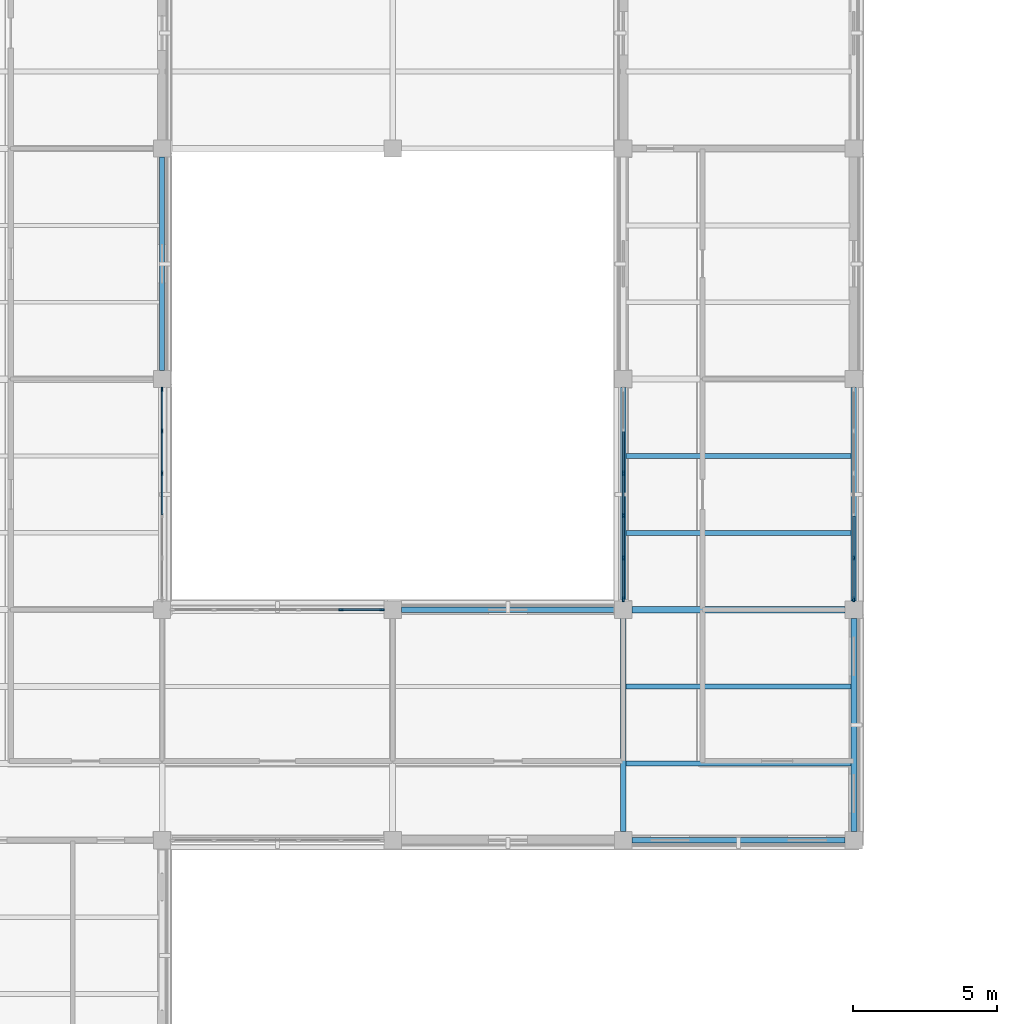
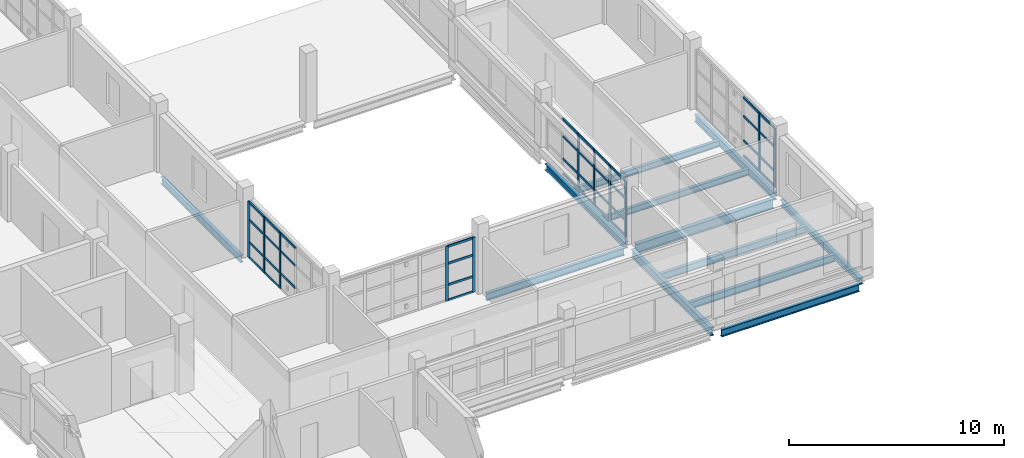
# One storey, part 10 of 126: 50 members, 12 beams, 4 elements without a shape of their own.
"""IFC4 building model written with IfcOpenShell, lengths in metres."""

from ifc_helpers import new_model, si_unit, derived_unit, direction, frame, origin, origin_2d, place, context, subcontext, project, spatial, rectangle, i_section, extrude, material, layer, layer_set, material_profile, profile_set, type_object, element, aggregate, save


model = new_model("IFC4")

# Units and contexts
model_context = context("Model", 3, precision=1e-05, world=origin(), true_north=direction((0.0, 1.0)))
body_context = subcontext(model_context, "Body", "Model", "MODEL_VIEW")
ifc_project = project(units=[si_unit("LENGTHUNIT", "METRE"), si_unit("AREAUNIT", "SQUARE_METRE"), si_unit("VOLUMEUNIT", "CUBIC_METRE"), si_unit("PLANEANGLEUNIT", "RADIAN"), si_unit("MASSUNIT", "GRAM", prefix="KILO"), derived_unit("THERMALTRANSMITTANCEUNIT", [(si_unit("MASSUNIT", "GRAM", prefix="KILO"), 1), (si_unit("TIMEUNIT", "SECOND"), -3), (si_unit("THERMODYNAMICTEMPERATUREUNIT", "KELVIN"), -1)])], contexts=[model_context])

# Site, building, storey
site_placement = place(None, origin())
site = spatial("IfcSite", under=ifc_project, at=site_placement, CompositionType="ELEMENT")
building_placement = place(site_placement, origin())
building = spatial("IfcBuilding", under=site, at=building_placement, Name="Veyamyaing Civic Hall", CompositionType="ELEMENT")
storey_placement = place(building_placement, frame((0.0, 0.0, 9.89990234375)))
storey = spatial("IfcBuildingStorey", under=building, at=storey_placement, Name="L02", CompositionType="ELEMENT", Elevation=9.89990234375)

# Beams
ifc_material_1 = material(Name="Steel ASTM A992", Category="steel")
ifc_material_profile_1 = material_profile(ifc_material_1, i_section(OverallWidth=0.19189453125, OverallDepth=0.462890625, WebThickness=0.010498046875, FlangeThickness=0.017578125, FilletRadius=0.010009765625, at=origin_2d()), Name="W460X89")
ifc_profile_set_1 = profile_set([ifc_material_profile_1], Name="Steel ASTM A992")
beam_type_1 = type_object("IfcBeamType", Name="B-08", PredefinedType="BEAM", material=ifc_profile_set_1)
beam_1_placement = place(storey_placement, frame((32.0, 8.300048828125, -0.516357421875), z_axis=(0.0, 1.0, 0.0), x_axis=(-1.0, 0.0, 0.0)))
element("IfcBeam", 1, at=beam_1_placement, inside=storey, type_object=beam_type_1, Name="Girder B-08 L02 Grid 5 B-C", PredefinedType="BEAM", context=body_context, shape_type="SweptSolid", body=[
    extrude(i_section(OverallWidth=0.19189453125, OverallDepth=0.462890625, WebThickness=0.010498046875, FlangeThickness=0.017578125, FilletRadius=0.010009765625, at=origin_2d()), origin(), (0.0, 0.0, 1.0), 7.39990234375),
])
ifc_material_profile_2 = material_profile(ifc_material_1, i_section(OverallWidth=0.179931640625, OverallDepth=0.4130859375, WebThickness=0.009765625, FlangeThickness=0.01611328125, FilletRadius=0.010009765625, at=origin_2d()), Name="W410X74")
ifc_profile_set_2 = profile_set([ifc_material_profile_2], Name="Steel ASTM A992")
beam_type_2 = type_object("IfcBeamType", Name="B-10", PredefinedType="SPANDREL", material=ifc_profile_set_2)
for number, where, z_axis, x_axis, name in (
    (2, (32.300048828125, 8.0, -0.491455078125), (1.0, 0.0, 0.0), (0.0, 1.0, 0.0), "Girder B-10 L02 Grid B 5-6"),
    (3, (24.300048828125, 16.0, -0.491455078125), (1.0, 0.0, 0.0), (0.0, 1.0, 0.0), "Girder B-10 L02 Grid C 4-5"),
    (4, (16.0, 24.300048828125, -0.491455078125), (0.0, 1.0, 0.0), (-1.0, 0.0, 0.0), "Girder B-10 L02 Grid 3 D-E"),
):
    element("IfcBeam", number, at=place(storey_placement, frame(where, z_axis=z_axis, x_axis=x_axis)), inside=storey, type_object=beam_type_2, Name=name, PredefinedType="SPANDREL", context=body_context, shape_type="SweptSolid", body=[
        extrude(i_section(OverallWidth=0.179931640625, OverallDepth=0.4130859375, WebThickness=0.009765625, FlangeThickness=0.01611328125, FilletRadius=0.010009765625, at=origin_2d()), origin(), (0.0, 0.0, 1.0), 7.39990234375),
    ])
ifc_material_profile_3 = material_profile(ifc_material_1, i_section(OverallWidth=0.2041015625, OverallDepth=0.35009765625, WebThickness=0.0078125, FlangeThickness=0.01513671875, FilletRadius=0.010009765625, at=origin_2d()), Name="W360X72")
ifc_profile_set_3 = profile_set([ifc_material_profile_3], Name="Steel ASTM A992")
beam_type_3 = type_object("IfcBeamType", Name="B-11", PredefinedType="SPANDREL", material=ifc_profile_set_3)
for number, where, z_axis, x_axis, name in (
    (5, (32.0, 16.300048828125, -0.4599609375), (0.0, 1.0, 0.0), (-1.0, 0.0, 0.0), "Girder B-11 L02 Grid 5 C-D"),
    (6, (40.0, 8.300048828125, -0.4599609375), (0.0, 1.0, 0.0), (-1.0, 0.0, 0.0), "Girder B-11 L02 Grid 6 B-C"),
):
    element("IfcBeam", number, at=place(storey_placement, frame(where, z_axis=z_axis, x_axis=x_axis)), inside=storey, type_object=beam_type_3, Name=name, PredefinedType="SPANDREL", context=body_context, shape_type="SweptSolid", body=[
        extrude(i_section(OverallWidth=0.2041015625, OverallDepth=0.35009765625, WebThickness=0.0078125, FlangeThickness=0.01513671875, FilletRadius=0.010009765625, at=origin_2d()), origin(), (0.0, 0.0, 1.0), 7.39990234375),
    ])
ifc_material_profile_4 = material_profile(ifc_material_1, i_section(OverallWidth=0.214111328125, OverallDepth=0.549072265625, WebThickness=0.0146484375, FlangeThickness=0.023681640625, FilletRadius=0.011962890625, at=origin_2d()), Name="W530X138")
ifc_profile_set_4 = profile_set([ifc_material_profile_4], Name="Steel ASTM A992")
beam_type_4 = type_object("IfcBeamType", Name="B-16", PredefinedType="BEAM", material=ifc_profile_set_4)
beam_2_placement = place(storey_placement, frame((32.300048828125, 16.0, -0.559326171875), z_axis=(1.0, 0.0, 0.0), x_axis=(0.0, 1.0, 0.0)))
element("IfcBeam", 7, at=beam_2_placement, inside=storey, type_object=beam_type_4, Name="Girder B-16 L02 Grid C 5-6", PredefinedType="BEAM", context=body_context, shape_type="SweptSolid", body=[
    extrude(i_section(OverallWidth=0.214111328125, OverallDepth=0.549072265625, WebThickness=0.0146484375, FlangeThickness=0.023681640625, FilletRadius=0.011962890625, at=origin_2d()), origin(), (0.0, 0.0, 1.0), 7.39990234375),
])
ifc_material_profile_5 = material_profile(ifc_material_1, i_section(OverallWidth=0.180908203125, OverallDepth=0.4169921875, WebThickness=0.010986328125, FlangeThickness=0.018310546875, FilletRadius=0.010009765625, at=origin_2d()), Name="W410X85")
ifc_profile_set_5 = profile_set([ifc_material_profile_5], Name="Steel ASTM A992")
beam_type_5 = type_object("IfcBeamType", Name="B-19", PredefinedType="SPANDREL", material=ifc_profile_set_5)
beam_3_placement = place(storey_placement, frame((40.0, 16.300048828125, -0.493408203125), z_axis=(0.0, 1.0, 0.0), x_axis=(-1.0, 0.0, 0.0)))
element("IfcBeam", 8, at=beam_3_placement, inside=storey, type_object=beam_type_5, Name="Girder B-19 L02 Grid 6 C-D", PredefinedType="SPANDREL", context=body_context, shape_type="SweptSolid", body=[
    extrude(i_section(OverallWidth=0.180908203125, OverallDepth=0.4169921875, WebThickness=0.010986328125, FlangeThickness=0.018310546875, FilletRadius=0.010009765625, at=origin_2d()), origin(), (0.0, 0.0, 1.0), 7.39990234375),
])

# Curtain wall, members
ifc_material_2 = material(Name="Anodised aluminium 6063-T6", Category="aluminium")
ifc_layer = layer(ifc_material_2, 0.159912109375, Name="Anodised aluminium 6063-T6")
ifc_layer_set = layer_set([ifc_layer], Name="Anodised aluminium 6063-T6")
curtain_wall_type = type_object("IfcCurtainWallType", Name="CW-03", PredefinedType="NOTDEFINED", material=ifc_layer_set)
curtain_wall_1_placement = place(storey_placement, origin())
curtain_wall_1 = element("IfcCurtainWall", 9, at=curtain_wall_1_placement, inside=storey, type_object=curtain_wall_type, Name="Unitized curtain wall CW-03 L02 E 2.3", PredefinedType="NOTDEFINED")
ifc_material_profile_6 = material_profile(ifc_material_2, rectangle(XDim=0.06494140625, YDim=0.159912109375, at=origin_2d()), Name="ALU-MUL-65X160")
ifc_profile_set_6 = profile_set([ifc_material_profile_6], Name="Anodised aluminium 6063-T6")
member_type_1 = type_object("IfcMemberType", Name="CWM-01", PredefinedType="MULLION", material=ifc_profile_set_6)
member_1_placement = place(storey_placement, frame((16.0, 20.73388671875, 0.0), z_axis=(0.0, 0.0, 1.0), x_axis=(-1.0, 0.0, 0.0)))
member_1 = element("IfcMember", 10, at=member_1_placement, type_object=member_type_1, Name="CW-03 mullion 4", PredefinedType="MULLION", context=body_context, shape_type="SweptSolid", body=[
    extrude(rectangle(XDim=0.06494140625, YDim=0.159912109375, at=origin_2d()), origin(), (0.0, 0.0, 1.0), 3.17919921875),
])
member_2_placement = place(storey_placement, frame((16.0, 22.201904296875, 0.0), z_axis=(0.0, 0.0, 1.0), x_axis=(-1.0, 0.0, 0.0)))
member_2 = element("IfcMember", 11, at=member_2_placement, type_object=member_type_1, Name="CW-03 mullion 5", PredefinedType="MULLION", context=body_context, shape_type="SweptSolid", body=[
    extrude(rectangle(XDim=0.06494140625, YDim=0.159912109375, at=origin_2d()), origin(), (0.0, 0.0, 1.0), 3.17919921875),
])
member_3_placement = place(storey_placement, frame((16.0, 23.637451171875, 0.0), z_axis=(0.0, 0.0, 1.0), x_axis=(-1.0, 0.0, 0.0)))
member_3 = element("IfcMember", 12, at=member_3_placement, type_object=member_type_1, Name="CW-03 mullion 6", PredefinedType="MULLION", context=body_context, shape_type="SweptSolid", body=[
    extrude(rectangle(XDim=0.06494140625, YDim=0.159912109375, at=origin_2d()), origin(), (0.0, 0.0, 1.0), 3.17919921875),
])

curtain_wall_2_placement = place(storey_placement, origin())
curtain_wall_2 = element("IfcCurtainWall", 13, at=curtain_wall_2_placement, inside=storey, type_object=curtain_wall_type, Name="Unitized curtain wall CW-03 L02 N 3.2", PredefinedType="NOTDEFINED")
member_4_placement = place(storey_placement, frame((22.201904296875, 16.0, 0.0), z_axis=(0.0, 0.0, 1.0), x_axis=(0.0, 1.0, 0.0)))
member_4 = element("IfcMember", 14, at=member_4_placement, type_object=member_type_1, Name="CW-03 mullion 5", PredefinedType="MULLION", context=body_context, shape_type="SweptSolid", body=[
    extrude(rectangle(XDim=0.06494140625, YDim=0.159912109375, at=origin_2d()), origin(), (0.0, 0.0, 1.0), 3.10400390625),
])
member_5_placement = place(storey_placement, frame((23.637451171875, 16.0, 0.0), z_axis=(0.0, 0.0, 1.0), x_axis=(0.0, 1.0, 0.0)))
member_5 = element("IfcMember", 15, at=member_5_placement, type_object=member_type_1, Name="CW-03 mullion 6", PredefinedType="MULLION", context=body_context, shape_type="SweptSolid", body=[
    extrude(rectangle(XDim=0.06494140625, YDim=0.159912109375, at=origin_2d()), origin(), (0.0, 0.0, 1.0), 3.10400390625),
])

curtain_wall_3_placement = place(storey_placement, origin())
curtain_wall_3 = element("IfcCurtainWall", 16, at=curtain_wall_3_placement, inside=storey, type_object=curtain_wall_type, Name="Unitized curtain wall CW-03 L02 W 5.3", PredefinedType="NOTDEFINED")
member_6_placement = place(storey_placement, frame((32.0, 16.362548828125, 0.0), z_axis=(0.0, 0.0, 1.0), x_axis=(-1.0, 0.0, 0.0)))
member_6 = element("IfcMember", 17, at=member_6_placement, type_object=member_type_1, Name="CW-03 mullion 1", PredefinedType="MULLION", context=body_context, shape_type="SweptSolid", body=[
    extrude(rectangle(XDim=0.06494140625, YDim=0.159912109375, at=origin_2d()), origin(), (0.0, 0.0, 1.0), 3.173095703125),
])
member_7_placement = place(storey_placement, frame((32.0, 17.798095703125, 0.0), z_axis=(0.0, 0.0, 1.0), x_axis=(-1.0, 0.0, 0.0)))
member_7 = element("IfcMember", 18, at=member_7_placement, type_object=member_type_1, Name="CW-03 mullion 2", PredefinedType="MULLION", context=body_context, shape_type="SweptSolid", body=[
    extrude(rectangle(XDim=0.06494140625, YDim=0.159912109375, at=origin_2d()), origin(), (0.0, 0.0, 1.0), 3.173095703125),
])
member_8_placement = place(storey_placement, frame((32.0, 19.26611328125, 0.0), z_axis=(0.0, 0.0, 1.0), x_axis=(-1.0, 0.0, 0.0)))
member_8 = element("IfcMember", 19, at=member_8_placement, type_object=member_type_1, Name="CW-03 mullion 3", PredefinedType="MULLION", context=body_context, shape_type="SweptSolid", body=[
    extrude(rectangle(XDim=0.06494140625, YDim=0.159912109375, at=origin_2d()), origin(), (0.0, 0.0, 1.0), 3.173095703125),
])
member_9_placement = place(storey_placement, frame((32.0, 20.73388671875, 0.0), z_axis=(0.0, 0.0, 1.0), x_axis=(-1.0, 0.0, 0.0)))
member_9 = element("IfcMember", 20, at=member_9_placement, type_object=member_type_1, Name="CW-03 mullion 4", PredefinedType="MULLION", context=body_context, shape_type="SweptSolid", body=[
    extrude(rectangle(XDim=0.06494140625, YDim=0.159912109375, at=origin_2d()), origin(), (0.0, 0.0, 1.0), 3.173095703125),
])

curtain_wall_4_placement = place(storey_placement, origin())
curtain_wall_4 = element("IfcCurtainWall", 21, at=curtain_wall_4_placement, inside=storey, type_object=curtain_wall_type, Name="Unitized curtain wall CW-03 L02 E 5.3", PredefinedType="NOTDEFINED")
member_10_placement = place(storey_placement, frame((40.0, 16.362548828125, 0.0), z_axis=(0.0, 0.0, 1.0), x_axis=(-1.0, 0.0, 0.0)))
member_10 = element("IfcMember", 22, at=member_10_placement, type_object=member_type_1, Name="CW-03 mullion 1", PredefinedType="MULLION", context=body_context, shape_type="SweptSolid", body=[
    extrude(rectangle(XDim=0.06494140625, YDim=0.159912109375, at=origin_2d()), origin(), (0.0, 0.0, 1.0), 3.359130859375),
])
member_11_placement = place(storey_placement, frame((40.0, 17.798095703125, 0.0), z_axis=(0.0, 0.0, 1.0), x_axis=(-1.0, 0.0, 0.0)))
member_11 = element("IfcMember", 23, at=member_11_placement, type_object=member_type_1, Name="CW-03 mullion 2", PredefinedType="MULLION", context=body_context, shape_type="SweptSolid", body=[
    extrude(rectangle(XDim=0.06494140625, YDim=0.159912109375, at=origin_2d()), origin(), (0.0, 0.0, 1.0), 3.359130859375),
])

# Member
ifc_material_profile_7 = material_profile(ifc_material_2, rectangle(XDim=0.06494140625, YDim=0.1201171875, at=origin_2d()), Name="ALU-TRN-65X120")
ifc_profile_set_7 = profile_set([ifc_material_profile_7], Name="Anodised aluminium 6063-T6")
member_type_2 = type_object("IfcMemberType", Name="CWT-01", PredefinedType="USERDEFINED", material=ifc_profile_set_7)
member_12_placement = place(storey_placement, frame((16.0, 19.298583984375, 0.900146484375), z_axis=(0.0, 1.0, 0.0), x_axis=(-1.0, 0.0, 0.0)))
member_12 = element("IfcMember", 24, at=member_12_placement, type_object=member_type_2, Name="CW-03 transom 3.2", ObjectType="TRANSOM", PredefinedType="USERDEFINED", context=body_context, shape_type="SweptSolid", body=[
    extrude(rectangle(XDim=0.06494140625, YDim=0.1201171875, at=origin_2d()), origin(), (0.0, 0.0, 1.0), 1.40283203125),
])

member_13_placement = place(storey_placement, frame((16.0, 19.298583984375, 2.161865234375), z_axis=(0.0, 1.0, 0.0), x_axis=(-1.0, 0.0, 0.0)))
member_13 = element("IfcMember", 25, at=member_13_placement, type_object=member_type_2, Name="CW-03 transom 3.3", ObjectType="TRANSOM", PredefinedType="USERDEFINED", context=body_context, shape_type="SweptSolid", body=[
    extrude(rectangle(XDim=0.06494140625, YDim=0.1201171875, at=origin_2d()), origin(), (0.0, 0.0, 1.0), 1.40283203125),
])

member_14_placement = place(storey_placement, frame((16.0, 19.298583984375, 3.146484375), z_axis=(0.0, 1.0, 0.0), x_axis=(-1.0, 0.0, 0.0)))
member_14 = element("IfcMember", 26, at=member_14_placement, type_object=member_type_2, Name="CW-03 transom 3.4", ObjectType="TRANSOM", PredefinedType="USERDEFINED", context=body_context, shape_type="SweptSolid", body=[
    extrude(rectangle(XDim=0.06494140625, YDim=0.1201171875, at=origin_2d()), origin(), (0.0, 0.0, 1.0), 1.40283203125),
])

member_15_placement = place(storey_placement, frame((16.0, 20.7666015625, 0.03271484375), z_axis=(0.0, 1.0, 0.0), x_axis=(-1.0, 0.0, 0.0)))
member_15 = element("IfcMember", 27, at=member_15_placement, type_object=member_type_2, Name="CW-03 transom 4.1", ObjectType="TRANSOM", PredefinedType="USERDEFINED", context=body_context, shape_type="SweptSolid", body=[
    extrude(rectangle(XDim=0.06494140625, YDim=0.1201171875, at=origin_2d()), origin(), (0.0, 0.0, 1.0), 1.40283203125),
])

member_16_placement = place(storey_placement, frame((16.0, 20.7666015625, 0.900146484375), z_axis=(0.0, 1.0, 0.0), x_axis=(-1.0, 0.0, 0.0)))
member_16 = element("IfcMember", 28, at=member_16_placement, type_object=member_type_2, Name="CW-03 transom 4.2", ObjectType="TRANSOM", PredefinedType="USERDEFINED", context=body_context, shape_type="SweptSolid", body=[
    extrude(rectangle(XDim=0.06494140625, YDim=0.1201171875, at=origin_2d()), origin(), (0.0, 0.0, 1.0), 1.40283203125),
])

member_17_placement = place(storey_placement, frame((16.0, 20.7666015625, 2.161865234375), z_axis=(0.0, 1.0, 0.0), x_axis=(-1.0, 0.0, 0.0)))
member_17 = element("IfcMember", 29, at=member_17_placement, type_object=member_type_2, Name="CW-03 transom 4.3", ObjectType="TRANSOM", PredefinedType="USERDEFINED", context=body_context, shape_type="SweptSolid", body=[
    extrude(rectangle(XDim=0.06494140625, YDim=0.1201171875, at=origin_2d()), origin(), (0.0, 0.0, 1.0), 1.40283203125),
])

member_18_placement = place(storey_placement, frame((16.0, 20.7666015625, 3.146484375), z_axis=(0.0, 1.0, 0.0), x_axis=(-1.0, 0.0, 0.0)))
member_18 = element("IfcMember", 30, at=member_18_placement, type_object=member_type_2, Name="CW-03 transom 4.4", ObjectType="TRANSOM", PredefinedType="USERDEFINED", context=body_context, shape_type="SweptSolid", body=[
    extrude(rectangle(XDim=0.06494140625, YDim=0.1201171875, at=origin_2d()), origin(), (0.0, 0.0, 1.0), 1.40283203125),
])

member_19_placement = place(storey_placement, frame((16.0, 22.234619140625, 0.03271484375), z_axis=(0.0, 1.0, 0.0), x_axis=(-1.0, 0.0, 0.0)))
member_19 = element("IfcMember", 31, at=member_19_placement, type_object=member_type_2, Name="CW-03 transom 5.1", ObjectType="TRANSOM", PredefinedType="USERDEFINED", context=body_context, shape_type="SweptSolid", body=[
    extrude(rectangle(XDim=0.06494140625, YDim=0.1201171875, at=origin_2d()), origin(), (0.0, 0.0, 1.0), 1.370361328125),
])

member_20_placement = place(storey_placement, frame((16.0, 22.234619140625, 0.900146484375), z_axis=(0.0, 1.0, 0.0), x_axis=(-1.0, 0.0, 0.0)))
member_20 = element("IfcMember", 32, at=member_20_placement, type_object=member_type_2, Name="CW-03 transom 5.2", ObjectType="TRANSOM", PredefinedType="USERDEFINED", context=body_context, shape_type="SweptSolid", body=[
    extrude(rectangle(XDim=0.06494140625, YDim=0.1201171875, at=origin_2d()), origin(), (0.0, 0.0, 1.0), 1.370361328125),
])

member_21_placement = place(storey_placement, frame((16.0, 22.234619140625, 2.161865234375), z_axis=(0.0, 1.0, 0.0), x_axis=(-1.0, 0.0, 0.0)))
member_21 = element("IfcMember", 33, at=member_21_placement, type_object=member_type_2, Name="CW-03 transom 5.3", ObjectType="TRANSOM", PredefinedType="USERDEFINED", context=body_context, shape_type="SweptSolid", body=[
    extrude(rectangle(XDim=0.06494140625, YDim=0.1201171875, at=origin_2d()), origin(), (0.0, 0.0, 1.0), 1.370361328125),
])

member_22_placement = place(storey_placement, frame((16.0, 22.234619140625, 3.146484375), z_axis=(0.0, 1.0, 0.0), x_axis=(-1.0, 0.0, 0.0)))
member_22 = element("IfcMember", 34, at=member_22_placement, type_object=member_type_2, Name="CW-03 transom 5.4", ObjectType="TRANSOM", PredefinedType="USERDEFINED", context=body_context, shape_type="SweptSolid", body=[
    extrude(rectangle(XDim=0.06494140625, YDim=0.1201171875, at=origin_2d()), origin(), (0.0, 0.0, 1.0), 1.370361328125),
])

aggregate(curtain_wall_1, [member_1, member_2, member_3, member_12, member_13, member_14, member_15, member_16, member_17, member_18, member_19, member_20, member_21, member_22])

member_23_placement = place(storey_placement, frame((22.234619140625, 16.0, 0.03271484375), z_axis=(1.0, 0.0, 0.0), x_axis=(0.0, 1.0, 0.0)))
member_23 = element("IfcMember", 35, at=member_23_placement, type_object=member_type_2, Name="CW-03 transom 5.1", ObjectType="TRANSOM", PredefinedType="USERDEFINED", context=body_context, shape_type="SweptSolid", body=[
    extrude(rectangle(XDim=0.06494140625, YDim=0.1201171875, at=origin_2d()), origin(), (0.0, 0.0, 1.0), 1.370361328125),
])

member_24_placement = place(storey_placement, frame((22.234619140625, 16.0, 0.900146484375), z_axis=(1.0, 0.0, 0.0), x_axis=(0.0, 1.0, 0.0)))
member_24 = element("IfcMember", 36, at=member_24_placement, type_object=member_type_2, Name="CW-03 transom 5.2", ObjectType="TRANSOM", PredefinedType="USERDEFINED", context=body_context, shape_type="SweptSolid", body=[
    extrude(rectangle(XDim=0.06494140625, YDim=0.1201171875, at=origin_2d()), origin(), (0.0, 0.0, 1.0), 1.370361328125),
])

member_25_placement = place(storey_placement, frame((22.234619140625, 16.0, 2.11083984375), z_axis=(1.0, 0.0, 0.0), x_axis=(0.0, 1.0, 0.0)))
member_25 = element("IfcMember", 37, at=member_25_placement, type_object=member_type_2, Name="CW-03 transom 5.3", ObjectType="TRANSOM", PredefinedType="USERDEFINED", context=body_context, shape_type="SweptSolid", body=[
    extrude(rectangle(XDim=0.06494140625, YDim=0.1201171875, at=origin_2d()), origin(), (0.0, 0.0, 1.0), 1.370361328125),
])

member_26_placement = place(storey_placement, frame((22.234619140625, 16.0, 3.071533203125), z_axis=(1.0, 0.0, 0.0), x_axis=(0.0, 1.0, 0.0)))
member_26 = element("IfcMember", 38, at=member_26_placement, type_object=member_type_2, Name="CW-03 transom 5.4", ObjectType="TRANSOM", PredefinedType="USERDEFINED", context=body_context, shape_type="SweptSolid", body=[
    extrude(rectangle(XDim=0.06494140625, YDim=0.1201171875, at=origin_2d()), origin(), (0.0, 0.0, 1.0), 1.370361328125),
])

aggregate(curtain_wall_2, [member_4, member_5, member_23, member_24, member_25, member_26])

member_27_placement = place(storey_placement, frame((32.0, 16.39501953125, 0.03271484375), z_axis=(0.0, 1.0, 0.0), x_axis=(-1.0, 0.0, 0.0)))
member_27 = element("IfcMember", 39, at=member_27_placement, type_object=member_type_2, Name="CW-03 transom 1.1", ObjectType="TRANSOM", PredefinedType="USERDEFINED", context=body_context, shape_type="SweptSolid", body=[
    extrude(rectangle(XDim=0.06494140625, YDim=0.1201171875, at=origin_2d()), origin(), (0.0, 0.0, 1.0), 1.370361328125),
])

member_28_placement = place(storey_placement, frame((32.0, 16.39501953125, 0.900146484375), z_axis=(0.0, 1.0, 0.0), x_axis=(-1.0, 0.0, 0.0)))
member_28 = element("IfcMember", 40, at=member_28_placement, type_object=member_type_2, Name="CW-03 transom 1.2", ObjectType="TRANSOM", PredefinedType="USERDEFINED", context=body_context, shape_type="SweptSolid", body=[
    extrude(rectangle(XDim=0.06494140625, YDim=0.1201171875, at=origin_2d()), origin(), (0.0, 0.0, 1.0), 1.370361328125),
])

member_29_placement = place(storey_placement, frame((32.0, 16.39501953125, 2.15771484375), z_axis=(0.0, 1.0, 0.0), x_axis=(-1.0, 0.0, 0.0)))
member_29 = element("IfcMember", 41, at=member_29_placement, type_object=member_type_2, Name="CW-03 transom 1.3", ObjectType="TRANSOM", PredefinedType="USERDEFINED", context=body_context, shape_type="SweptSolid", body=[
    extrude(rectangle(XDim=0.06494140625, YDim=0.1201171875, at=origin_2d()), origin(), (0.0, 0.0, 1.0), 1.370361328125),
])

member_30_placement = place(storey_placement, frame((32.0, 16.39501953125, 3.140625), z_axis=(0.0, 1.0, 0.0), x_axis=(-1.0, 0.0, 0.0)))
member_30 = element("IfcMember", 42, at=member_30_placement, type_object=member_type_2, Name="CW-03 transom 1.4", ObjectType="TRANSOM", PredefinedType="USERDEFINED", context=body_context, shape_type="SweptSolid", body=[
    extrude(rectangle(XDim=0.06494140625, YDim=0.1201171875, at=origin_2d()), origin(), (0.0, 0.0, 1.0), 1.370361328125),
])

member_31_placement = place(storey_placement, frame((32.0, 17.83056640625, 0.03271484375), z_axis=(0.0, 1.0, 0.0), x_axis=(-1.0, 0.0, 0.0)))
member_31 = element("IfcMember", 43, at=member_31_placement, type_object=member_type_2, Name="CW-03 transom 2.1", ObjectType="TRANSOM", PredefinedType="USERDEFINED", context=body_context, shape_type="SweptSolid", body=[
    extrude(rectangle(XDim=0.06494140625, YDim=0.1201171875, at=origin_2d()), origin(), (0.0, 0.0, 1.0), 1.40283203125),
])

member_32_placement = place(storey_placement, frame((32.0, 17.83056640625, 0.900146484375), z_axis=(0.0, 1.0, 0.0), x_axis=(-1.0, 0.0, 0.0)))
member_32 = element("IfcMember", 44, at=member_32_placement, type_object=member_type_2, Name="CW-03 transom 2.2", ObjectType="TRANSOM", PredefinedType="USERDEFINED", context=body_context, shape_type="SweptSolid", body=[
    extrude(rectangle(XDim=0.06494140625, YDim=0.1201171875, at=origin_2d()), origin(), (0.0, 0.0, 1.0), 1.40283203125),
])

member_33_placement = place(storey_placement, frame((32.0, 17.83056640625, 2.15771484375), z_axis=(0.0, 1.0, 0.0), x_axis=(-1.0, 0.0, 0.0)))
member_33 = element("IfcMember", 45, at=member_33_placement, type_object=member_type_2, Name="CW-03 transom 2.3", ObjectType="TRANSOM", PredefinedType="USERDEFINED", context=body_context, shape_type="SweptSolid", body=[
    extrude(rectangle(XDim=0.06494140625, YDim=0.1201171875, at=origin_2d()), origin(), (0.0, 0.0, 1.0), 1.40283203125),
])

member_34_placement = place(storey_placement, frame((32.0, 17.83056640625, 3.140625), z_axis=(0.0, 1.0, 0.0), x_axis=(-1.0, 0.0, 0.0)))
member_34 = element("IfcMember", 46, at=member_34_placement, type_object=member_type_2, Name="CW-03 transom 2.4", ObjectType="TRANSOM", PredefinedType="USERDEFINED", context=body_context, shape_type="SweptSolid", body=[
    extrude(rectangle(XDim=0.06494140625, YDim=0.1201171875, at=origin_2d()), origin(), (0.0, 0.0, 1.0), 1.40283203125),
])

member_35_placement = place(storey_placement, frame((32.0, 19.298583984375, 0.03271484375), z_axis=(0.0, 1.0, 0.0), x_axis=(-1.0, 0.0, 0.0)))
member_35 = element("IfcMember", 47, at=member_35_placement, type_object=member_type_2, Name="CW-03 transom 3.1", ObjectType="TRANSOM", PredefinedType="USERDEFINED", context=body_context, shape_type="SweptSolid", body=[
    extrude(rectangle(XDim=0.06494140625, YDim=0.1201171875, at=origin_2d()), origin(), (0.0, 0.0, 1.0), 1.40283203125),
])

member_36_placement = place(storey_placement, frame((32.0, 19.298583984375, 0.900146484375), z_axis=(0.0, 1.0, 0.0), x_axis=(-1.0, 0.0, 0.0)))
member_36 = element("IfcMember", 48, at=member_36_placement, type_object=member_type_2, Name="CW-03 transom 3.2", ObjectType="TRANSOM", PredefinedType="USERDEFINED", context=body_context, shape_type="SweptSolid", body=[
    extrude(rectangle(XDim=0.06494140625, YDim=0.1201171875, at=origin_2d()), origin(), (0.0, 0.0, 1.0), 1.40283203125),
])

member_37_placement = place(storey_placement, frame((32.0, 19.298583984375, 2.15771484375), z_axis=(0.0, 1.0, 0.0), x_axis=(-1.0, 0.0, 0.0)))
member_37 = element("IfcMember", 49, at=member_37_placement, type_object=member_type_2, Name="CW-03 transom 3.3", ObjectType="TRANSOM", PredefinedType="USERDEFINED", context=body_context, shape_type="SweptSolid", body=[
    extrude(rectangle(XDim=0.06494140625, YDim=0.1201171875, at=origin_2d()), origin(), (0.0, 0.0, 1.0), 1.40283203125),
])

member_38_placement = place(storey_placement, frame((32.0, 19.298583984375, 3.140625), z_axis=(0.0, 1.0, 0.0), x_axis=(-1.0, 0.0, 0.0)))
member_38 = element("IfcMember", 50, at=member_38_placement, type_object=member_type_2, Name="CW-03 transom 3.4", ObjectType="TRANSOM", PredefinedType="USERDEFINED", context=body_context, shape_type="SweptSolid", body=[
    extrude(rectangle(XDim=0.06494140625, YDim=0.1201171875, at=origin_2d()), origin(), (0.0, 0.0, 1.0), 1.40283203125),
])

member_39_placement = place(storey_placement, frame((32.0, 20.7666015625, 0.03271484375), z_axis=(0.0, 1.0, 0.0), x_axis=(-1.0, 0.0, 0.0)))
member_39 = element("IfcMember", 51, at=member_39_placement, type_object=member_type_2, Name="CW-03 transom 4.1", ObjectType="TRANSOM", PredefinedType="USERDEFINED", context=body_context, shape_type="SweptSolid", body=[
    extrude(rectangle(XDim=0.06494140625, YDim=0.1201171875, at=origin_2d()), origin(), (0.0, 0.0, 1.0), 1.40283203125),
])

member_40_placement = place(storey_placement, frame((32.0, 20.7666015625, 0.900146484375), z_axis=(0.0, 1.0, 0.0), x_axis=(-1.0, 0.0, 0.0)))
member_40 = element("IfcMember", 52, at=member_40_placement, type_object=member_type_2, Name="CW-03 transom 4.2", ObjectType="TRANSOM", PredefinedType="USERDEFINED", context=body_context, shape_type="SweptSolid", body=[
    extrude(rectangle(XDim=0.06494140625, YDim=0.1201171875, at=origin_2d()), origin(), (0.0, 0.0, 1.0), 1.40283203125),
])

member_41_placement = place(storey_placement, frame((32.0, 20.7666015625, 2.15771484375), z_axis=(0.0, 1.0, 0.0), x_axis=(-1.0, 0.0, 0.0)))
member_41 = element("IfcMember", 53, at=member_41_placement, type_object=member_type_2, Name="CW-03 transom 4.3", ObjectType="TRANSOM", PredefinedType="USERDEFINED", context=body_context, shape_type="SweptSolid", body=[
    extrude(rectangle(XDim=0.06494140625, YDim=0.1201171875, at=origin_2d()), origin(), (0.0, 0.0, 1.0), 1.40283203125),
])

member_42_placement = place(storey_placement, frame((32.0, 20.7666015625, 3.140625), z_axis=(0.0, 1.0, 0.0), x_axis=(-1.0, 0.0, 0.0)))
member_42 = element("IfcMember", 54, at=member_42_placement, type_object=member_type_2, Name="CW-03 transom 4.4", ObjectType="TRANSOM", PredefinedType="USERDEFINED", context=body_context, shape_type="SweptSolid", body=[
    extrude(rectangle(XDim=0.06494140625, YDim=0.1201171875, at=origin_2d()), origin(), (0.0, 0.0, 1.0), 1.40283203125),
])

aggregate(curtain_wall_3, [member_6, member_7, member_8, member_9, member_27, member_28, member_29, member_30, member_31, member_32, member_33, member_34, member_35, member_36, member_37, member_38, member_39, member_40, member_41, member_42])

member_43_placement = place(storey_placement, frame((40.0, 16.39501953125, 0.03271484375), z_axis=(0.0, 1.0, 0.0), x_axis=(-1.0, 0.0, 0.0)))
member_43 = element("IfcMember", 55, at=member_43_placement, type_object=member_type_2, Name="CW-03 transom 1.1", ObjectType="TRANSOM", PredefinedType="USERDEFINED", context=body_context, shape_type="SweptSolid", body=[
    extrude(rectangle(XDim=0.06494140625, YDim=0.1201171875, at=origin_2d()), origin(), (0.0, 0.0, 1.0), 1.370361328125),
])

member_44_placement = place(storey_placement, frame((40.0, 16.39501953125, 0.900146484375), z_axis=(0.0, 1.0, 0.0), x_axis=(-1.0, 0.0, 0.0)))
member_44 = element("IfcMember", 56, at=member_44_placement, type_object=member_type_2, Name="CW-03 transom 1.2", ObjectType="TRANSOM", PredefinedType="USERDEFINED", context=body_context, shape_type="SweptSolid", body=[
    extrude(rectangle(XDim=0.06494140625, YDim=0.1201171875, at=origin_2d()), origin(), (0.0, 0.0, 1.0), 1.370361328125),
])

member_45_placement = place(storey_placement, frame((40.0, 16.39501953125, 2.2841796875), z_axis=(0.0, 1.0, 0.0), x_axis=(-1.0, 0.0, 0.0)))
member_45 = element("IfcMember", 57, at=member_45_placement, type_object=member_type_2, Name="CW-03 transom 1.3", ObjectType="TRANSOM", PredefinedType="USERDEFINED", context=body_context, shape_type="SweptSolid", body=[
    extrude(rectangle(XDim=0.06494140625, YDim=0.1201171875, at=origin_2d()), origin(), (0.0, 0.0, 1.0), 1.370361328125),
])

member_46_placement = place(storey_placement, frame((40.0, 16.39501953125, 3.32666015625), z_axis=(0.0, 1.0, 0.0), x_axis=(-1.0, 0.0, 0.0)))
member_46 = element("IfcMember", 58, at=member_46_placement, type_object=member_type_2, Name="CW-03 transom 1.4", ObjectType="TRANSOM", PredefinedType="USERDEFINED", context=body_context, shape_type="SweptSolid", body=[
    extrude(rectangle(XDim=0.06494140625, YDim=0.1201171875, at=origin_2d()), origin(), (0.0, 0.0, 1.0), 1.370361328125),
])

member_47_placement = place(storey_placement, frame((40.0, 17.83056640625, 0.03271484375), z_axis=(0.0, 1.0, 0.0), x_axis=(-1.0, 0.0, 0.0)))
member_47 = element("IfcMember", 59, at=member_47_placement, type_object=member_type_2, Name="CW-03 transom 2.1", ObjectType="TRANSOM", PredefinedType="USERDEFINED", context=body_context, shape_type="SweptSolid", body=[
    extrude(rectangle(XDim=0.06494140625, YDim=0.1201171875, at=origin_2d()), origin(), (0.0, 0.0, 1.0), 1.40283203125),
])

member_48_placement = place(storey_placement, frame((40.0, 17.83056640625, 0.900146484375), z_axis=(0.0, 1.0, 0.0), x_axis=(-1.0, 0.0, 0.0)))
member_48 = element("IfcMember", 60, at=member_48_placement, type_object=member_type_2, Name="CW-03 transom 2.2", ObjectType="TRANSOM", PredefinedType="USERDEFINED", context=body_context, shape_type="SweptSolid", body=[
    extrude(rectangle(XDim=0.06494140625, YDim=0.1201171875, at=origin_2d()), origin(), (0.0, 0.0, 1.0), 1.40283203125),
])

member_49_placement = place(storey_placement, frame((40.0, 17.83056640625, 2.2841796875), z_axis=(0.0, 1.0, 0.0), x_axis=(-1.0, 0.0, 0.0)))
member_49 = element("IfcMember", 61, at=member_49_placement, type_object=member_type_2, Name="CW-03 transom 2.3", ObjectType="TRANSOM", PredefinedType="USERDEFINED", context=body_context, shape_type="SweptSolid", body=[
    extrude(rectangle(XDim=0.06494140625, YDim=0.1201171875, at=origin_2d()), origin(), (0.0, 0.0, 1.0), 1.40283203125),
])

member_50_placement = place(storey_placement, frame((40.0, 17.83056640625, 3.32666015625), z_axis=(0.0, 1.0, 0.0), x_axis=(-1.0, 0.0, 0.0)))
member_50 = element("IfcMember", 62, at=member_50_placement, type_object=member_type_2, Name="CW-03 transom 2.4", ObjectType="TRANSOM", PredefinedType="USERDEFINED", context=body_context, shape_type="SweptSolid", body=[
    extrude(rectangle(XDim=0.06494140625, YDim=0.1201171875, at=origin_2d()), origin(), (0.0, 0.0, 1.0), 1.40283203125),
])

aggregate(curtain_wall_4, [member_10, member_11, member_43, member_44, member_45, member_46, member_47, member_48, member_49, member_50])

# Beams
ifc_material_profile_8 = material_profile(ifc_material_1, i_section(OverallWidth=0.177978515625, OverallDepth=0.406982421875, WebThickness=0.0078125, FlangeThickness=0.0126953125, FilletRadius=0.010009765625, at=origin_2d()), Name="W410X60")
ifc_profile_set_8 = profile_set([ifc_material_profile_8], Name="Steel ASTM A992")
beam_type_6 = type_object("IfcBeamType", Name="J-01", PredefinedType="JOIST", material=ifc_profile_set_8)
for number, where, z_axis, x_axis, name in (
    (63, (32.093994140625, 10.666748046875, -0.48828125), (1.0, 0.0, 0.0), (0.0, 1.0, 0.0), "Composite floor joist J-01 L02 5.2.1"),
    (64, (32.093994140625, 13.333251953125, -0.48828125), (1.0, 0.0, 0.0), (0.0, 1.0, 0.0), "Composite floor joist J-01 L02 5.2.2"),
):
    element("IfcBeam", number, at=place(storey_placement, frame(where, z_axis=z_axis, x_axis=x_axis)), inside=storey, type_object=beam_type_6, Name=name, PredefinedType="JOIST", context=body_context, shape_type="SweptSolid", body=[
        extrude(i_section(OverallWidth=0.177978515625, OverallDepth=0.406982421875, WebThickness=0.0078125, FlangeThickness=0.0126953125, FilletRadius=0.010009765625, at=origin_2d()), origin(), (0.0, 0.0, 1.0), 7.805908203125),
    ])
ifc_material_profile_9 = material_profile(ifc_material_1, i_section(OverallWidth=0.172119140625, OverallDepth=0.35791015625, WebThickness=0.0078125, FlangeThickness=0.01318359375, FilletRadius=0.010009765625, at=origin_2d()), Name="W360X57")
ifc_profile_set_9 = profile_set([ifc_material_profile_9], Name="Steel ASTM A992")
beam_type_7 = type_object("IfcBeamType", Name="J-02", PredefinedType="JOIST", material=ifc_profile_set_9)
for number, where, z_axis, x_axis, name in (
    (65, (32.10009765625, 18.666748046875, -0.4638671875), (1.0, 0.0, 0.0), (0.0, 1.0, 0.0), "Composite floor joist J-02 L02 5.3.1"),
    (66, (32.10009765625, 21.333251953125, -0.4638671875), (1.0, 0.0, 0.0), (0.0, 1.0, 0.0), "Composite floor joist J-02 L02 5.3.2"),
):
    element("IfcBeam", number, at=place(storey_placement, frame(where, z_axis=z_axis, x_axis=x_axis)), inside=storey, type_object=beam_type_7, Name=name, PredefinedType="JOIST", context=body_context, shape_type="SweptSolid", body=[
        extrude(i_section(OverallWidth=0.172119140625, OverallDepth=0.35791015625, WebThickness=0.0078125, FlangeThickness=0.01318359375, FilletRadius=0.010009765625, at=origin_2d()), origin(), (0.0, 0.0, 1.0), 7.8115234375),
    ])

save(model, "model.ifc")
